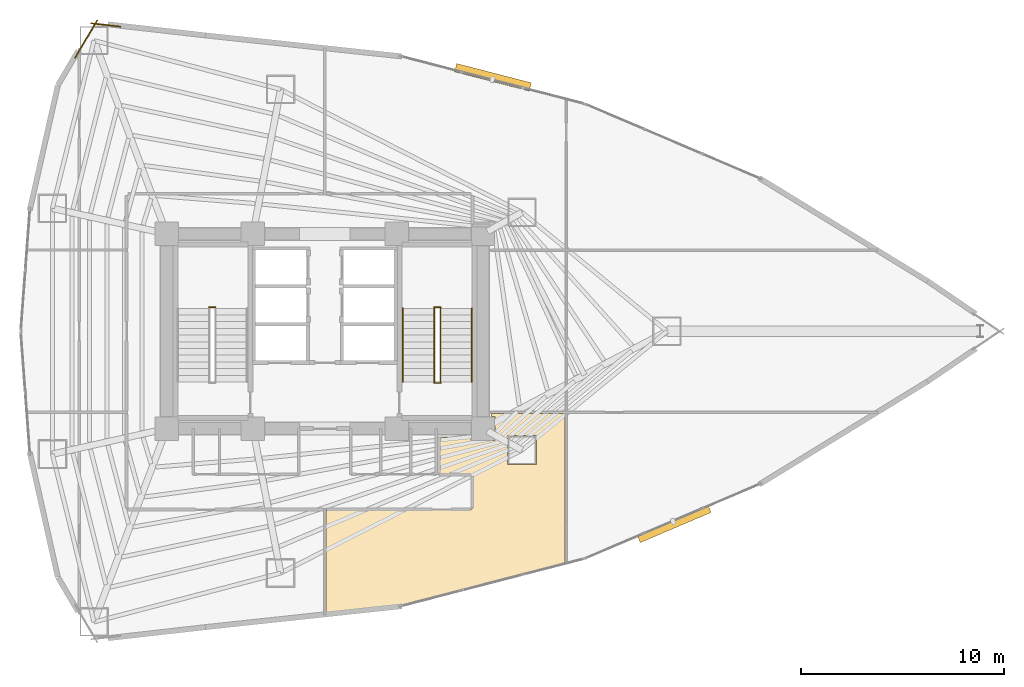
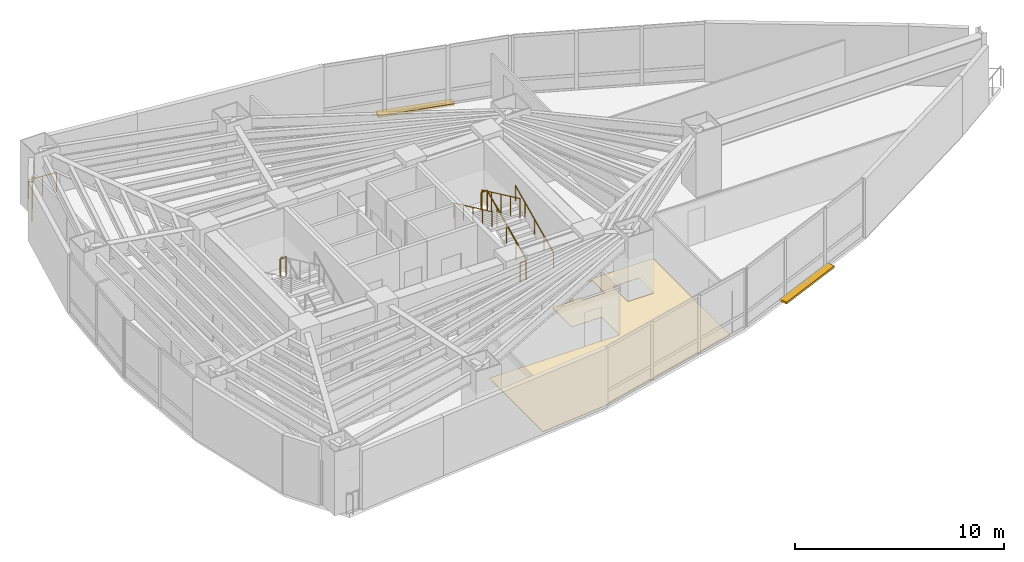
# One storey, part 19 of 20: 9 railings, 2 shading devices, 1 covering.
"""IFC4 building model written with IfcOpenShell, lengths in metres."""

from ifc_helpers import new_model, si_unit, direction, frame, origin, origin_2d, place, context, subcontext, project, spatial, polyline, rectangle, circle, outline, extrude, material, layer, layer_set, type_object, element, save


model = new_model("IFC4")

# Units and contexts
model_context = context("Model", 3, precision=1e-05, world=origin(), true_north=direction((0.0, 1.0)))
body_context = subcontext(model_context, "Body", "Model", "MODEL_VIEW")
ifc_project = project(units=[si_unit("LENGTHUNIT", "METRE"), si_unit("AREAUNIT", "SQUARE_METRE"), si_unit("VOLUMEUNIT", "CUBIC_METRE"), si_unit("PLANEANGLEUNIT", "RADIAN"), si_unit("MASSUNIT", "GRAM", prefix="KILO")], contexts=[model_context])

# Site, building, storey
site_placement = place(None, origin())
site = spatial("IfcSite", under=ifc_project, at=site_placement, CompositionType="ELEMENT")
building_placement = place(site_placement, origin())
building = spatial("IfcBuilding", under=site, at=building_placement, Name="Menara Vayukalpa", CompositionType="ELEMENT")
storey_placement = place(building_placement, frame((0.0, 0.0, 64.800048828125)))
storey = spatial("IfcBuildingStorey", under=building, at=storey_placement, Name="L15", CompositionType="ELEMENT", Elevation=64.800048828125)

# Covering
ifc_material_1 = material(Name="Porcelain Stoneware Floor Tile", Category="masonry")
ifc_layer_1 = layer(ifc_material_1, 0.02001953125)
ifc_layer_set_1 = layer_set([ifc_layer_1], Name="Porcelain Stoneware Floor Tile")
covering_type = type_object("IfcCoveringType", Name="COV-FLR1", PredefinedType="FLOORING", material=ifc_layer_set_1)
covering_placement = place(storey_placement, origin())
element("IfcCovering", 1, at=covering_placement, inside=storey, type_object=covering_type, Name="L15 Technical Reference Library Porcelain Flooring", PredefinedType="FLOORING", context=body_context, shape_type="SweptSolid", body=[
    extrude(outline(polyline([(25.671142578125, 8.054931640625), (25.670166015625, 8.054931640625), (25.669189453125, 8.054931640625), (25.668212890625, 8.05517578125), (25.667236328125, 8.055419921875), (25.666259765625, 8.0556640625), (25.665283203125, 8.05615234375), (25.66455078125, 8.056640625), (25.663818359375, 8.05712890625), (25.6630859375, 8.057861328125), (25.662353515625, 8.05859375), (25.66162109375, 8.059326171875), (25.6611328125, 8.060302734375), (25.660888671875, 8.06103515625), (25.660400390625, 8.06201171875), (25.66015625, 8.06298828125), (25.659912109375, 8.06396484375), (25.659912109375, 8.06494140625), (25.659912109375, 13.2099609375), (25.659912109375, 13.2109375), (25.66015625, 13.2119140625), (25.660400390625, 13.212890625), (25.660888671875, 13.2138671875), (25.6611328125, 13.214599609375), (25.66162109375, 13.215576171875), (25.662353515625, 13.21630859375), (25.662841796875, 13.217041015625), (25.663818359375, 13.2177734375), (25.664306640625, 13.21826171875), (25.665283203125, 13.21875), (25.666259765625, 13.21923828125), (25.6669921875, 13.219482421875), (25.66796875, 13.2197265625), (25.6689453125, 13.219970703125), (25.669921875, 13.219970703125), (32.7998046875, 13.219970703125), (32.806884765625, 13.220458984375), (32.813720703125, 13.22119140625), (32.8203125, 13.222900390625), (32.826904296875, 13.225341796875), (32.8330078125, 13.228271484375), (32.8388671875, 13.231689453125), (32.844482421875, 13.236083984375), (32.849609375, 13.240478515625), (32.85400390625, 13.24560546875), (32.858154296875, 13.251220703125), (32.86181640625, 13.257080078125), (32.86474609375, 13.26318359375), (32.866943359375, 13.269775390625), (32.86865234375, 13.2763671875), (32.86962890625, 13.283203125), (32.8701171875, 13.290283203125), (32.8701171875, 14.849609375), (32.86962890625, 14.856689453125), (32.86865234375, 14.86376953125), (32.866943359375, 14.870361328125), (32.86474609375, 14.876708984375), (32.86181640625, 14.883056640625), (32.858154296875, 14.888916015625), (32.85400390625, 14.89453125), (32.849609375, 14.8994140625), (32.844482421875, 14.904052734375), (32.8388671875, 14.908203125), (32.8330078125, 14.911865234375), (32.826904296875, 14.914794921875), (32.8203125, 14.9169921875), (32.813720703125, 14.918701171875), (32.806884765625, 14.919677734375), (32.7998046875, 14.919921875), (31.219970703125, 14.919921875), (31.218994140625, 14.919921875), (31.218017578125, 14.920166015625), (31.217041015625, 14.92041015625), (31.21630859375, 14.9208984375), (31.21533203125, 14.921142578125), (31.21435546875, 14.921630859375), (31.213623046875, 14.92236328125), (31.212890625, 14.9228515625), (31.21240234375, 14.923583984375), (31.211669921875, 14.92431640625), (31.211181640625, 14.92529296875), (31.210693359375, 14.92626953125), (31.21044921875, 14.927001953125), (31.210205078125, 14.927978515625), (31.2099609375, 14.928955078125), (31.2099609375, 14.929931640625), (31.2099609375, 16.780029296875), (31.2099609375, 16.781005859375), (31.210205078125, 16.781982421875), (31.21044921875, 16.782958984375), (31.210693359375, 16.78369140625), (31.211181640625, 16.78466796875), (31.211669921875, 16.78564453125), (31.21240234375, 16.786376953125), (31.212890625, 16.787109375), (31.213623046875, 16.78759765625), (31.21435546875, 16.788330078125), (31.21533203125, 16.788818359375), (31.21630859375, 16.789306640625), (31.217041015625, 16.78955078125), (31.218017578125, 16.789794921875), (31.218994140625, 16.7900390625), (31.219970703125, 16.7900390625), (32.389892578125, 16.7900390625), (32.389892578125, 16.85009765625), (32.81005859375, 16.85009765625), (32.81005859375, 16.610107421875), (33.989990234375, 16.610107421875), (33.989990234375, 17.7900390625), (33.81005859375, 17.7900390625), (33.81005859375, 17.929931640625), (33.81005859375, 17.930908203125), (33.810302734375, 17.931884765625), (33.810302734375, 17.932861328125), (33.810791015625, 17.933837890625), (33.811279296875, 17.934814453125), (33.811767578125, 17.935546875), (33.812255859375, 17.936279296875), (33.81298828125, 17.93701171875), (33.813720703125, 17.937744140625), (33.814453125, 17.938232421875), (33.815185546875, 17.938720703125), (33.816162109375, 17.939208984375), (33.817138671875, 17.939697265625), (33.818115234375, 17.939697265625), (33.819091796875, 17.93994140625), (33.820068359375, 17.93994140625), (37.429931640625, 17.93994140625), (37.430908203125, 17.93994140625), (37.431884765625, 17.939697265625), (37.432861328125, 17.939697265625), (37.433837890625, 17.939208984375), (37.434814453125, 17.938720703125), (37.435546875, 17.938232421875), (37.436279296875, 17.937744140625), (37.43701171875, 17.93701171875), (37.437744140625, 17.936279296875), (37.438232421875, 17.935546875), (37.438720703125, 17.934814453125), (37.439208984375, 17.933837890625), (37.439697265625, 17.932861328125), (37.439697265625, 17.931884765625), (37.43994140625, 17.930908203125), (37.43994140625, 17.929931640625), (37.43994140625, 10.55859375), (37.43994140625, 10.5576171875), (37.439697265625, 10.556640625), (37.439453125, 10.5556640625), (37.439208984375, 10.5546875), (37.438720703125, 10.5537109375), (37.438232421875, 10.552978515625), (37.4375, 10.552001953125), (37.43701171875, 10.551513671875), (37.43603515625, 10.55078125), (37.435302734375, 10.550048828125), (37.434326171875, 10.549560546875), (37.43359375, 10.54931640625), (37.4326171875, 10.548828125), (29.287109375, 8.442138671875), (29.28564453125, 8.44189453125), (25.671142578125, 8.054931640625)]), holes=[polyline([(36.032958984375, 16.851806640625), (34.60302734375, 16.851806640625), (34.60302734375, 15.421875), (36.032958984375, 15.421875), (36.032958984375, 16.851806640625)])]), origin(), (0.0, 0.0, 1.0), 0.02001953125),
])

# Railings
ifc_material_2 = material(Name="Laminated Glass and Stainless Steel 316 Guardrail", Category="steel")
railing_type_1 = type_object("IfcRailingType", Name="RLG-EXT115", PredefinedType="GUARDRAIL", material=ifc_material_2)
railing_1_placement = place(storey_placement, frame((15.52294921875, 37.017822265625, 0.0)))
element("IfcRailing", 2, at=railing_1_placement, inside=storey, type_object=railing_type_1, Name="L15 Column Corner Spandrel Guardrail 07-1", PredefinedType="GUARDRAIL", context=body_context, shape_type="SweptSolid", body=[
    extrude(circle(Radius=0.02392578125, at=origin_2d()), frame((0.0, 0.0, 1.1259765625), z_axis=(-0.993641249981, 0.112592479038, 0.0), x_axis=(-0.112592479038, -0.993641249981, 0.0)), (0.0, 0.0, 1.0), 1.45068359375),
    extrude(circle(Radius=0.02099609375, at=origin_2d()), origin(), (0.0, 0.0, 1.0), 1.101806640625),
    extrude(circle(Radius=0.02099609375, at=origin_2d()), frame((-0.720703125, 0.08154296875, 0.0)), (0.0, 0.0, 1.0), 1.101806640625),
    extrude(circle(Radius=0.02099609375, at=origin_2d()), frame((-1.44140625, 0.163330078125, 0.0)), (0.0, 0.0, 1.0), 1.101806640625),
])
railing_2_placement = place(storey_placement, frame((14.370361328125, 37.325439453125, 0.0)))
element("IfcRailing", 3, at=railing_2_placement, inside=storey, type_object=railing_type_1, Name="L15 Column Corner Spandrel Guardrail 08-1", PredefinedType="GUARDRAIL", context=body_context, shape_type="SweptSolid", body=[
    extrude(circle(Radius=0.02392578125, at=origin_2d()), frame((0.0, 0.0, 1.1259765625), z_axis=(-0.506816821418, -0.862053774151, 0.0), x_axis=(0.862053774151, -0.506816821418, 0.0)), (0.0, 0.0, 1.0), 2.15185546875),
    extrude(circle(Radius=0.02099609375, at=origin_2d()), origin(), (0.0, 0.0, 1.0), 1.101806640625),
    extrude(circle(Radius=0.02099609375, at=origin_2d()), frame((-0.54541015625, -0.927490234375, 0.0)), (0.0, 0.0, 1.0), 1.101806640625),
    extrude(circle(Radius=0.02099609375, at=origin_2d()), frame((-1.090576171875, -1.85498046875, 0.0)), (0.0, 0.0, 1.0), 1.101806640625),
])
ifc_material_3 = material(Name="Powder-Coated Galvanised Steel Guardrail", Category="steel")
railing_type_2 = type_object("IfcRailingType", Name="RLG-STG110", PredefinedType="GUARDRAIL", material=ifc_material_3)
railing_3_placement = place(storey_placement, frame((20.2099609375, 23.179931640625, 1.85986328125)))
element("IfcRailing", 4, at=railing_3_placement, inside=storey, type_object=railing_type_2, Name="L15 ST-1 stair guard 2", PredefinedType="GUARDRAIL", context=body_context, shape_type="SweptSolid", body=[
    extrude(circle(Radius=0.02392578125, at=origin_2d()), frame((0.0, 0.0, 1.09619140625), z_axis=(-1.0, 0.0, 0.0), x_axis=(0.0, -1.0, 0.0)), (0.0, 0.0, 1.0), 0.320068359375),
    extrude(circle(Radius=0.02099609375, at=origin_2d()), origin(), (0.0, 0.0, 1.0), 1.072021484375),
    extrude(circle(Radius=0.02099609375, at=origin_2d()), frame((-0.320068359375, 0.0, 0.0)), (0.0, 0.0, 1.0), 1.072021484375),
])
railing_4_placement = place(storey_placement, frame((31.300048828125, 19.5, 0.155029296875)))
element("IfcRailing", 5, at=railing_4_placement, inside=storey, type_object=railing_type_2, Name="L15 ST-2 stair guard 1", PredefinedType="GUARDRAIL", context=body_context, shape_type="SweptSolid", body=[
    extrude(circle(Radius=0.02392578125, at=origin_2d()), frame((0.0, 0.0, 1.09619140625), z_axis=(0.0, 0.90513990983, 0.425113800803), x_axis=(-1.0, 0.0, 0.0)), (0.0, 0.0, 1.0), 4.01025390625),
    extrude(circle(Radius=0.02099609375, at=origin_2d()), origin(), (0.0, 0.0, 1.0), 1.072021484375),
    extrude(circle(Radius=0.02099609375, at=origin_2d()), frame((0.0, 0.907470703125, 0.42626953125)), (0.0, 0.0, 1.0), 1.072021484375),
    extrude(circle(Radius=0.02099609375, at=origin_2d()), frame((0.0, 1.81494140625, 0.8525390625)), (0.0, 0.0, 1.0), 1.072021484375),
    extrude(circle(Radius=0.02099609375, at=origin_2d()), frame((0.0, 2.722412109375, 1.278564453125)), (0.0, 0.0, 1.0), 1.072021484375),
    extrude(circle(Radius=0.02099609375, at=origin_2d()), frame((0.0, 3.6298828125, 1.704833984375)), (0.0, 0.0, 1.0), 1.072021484375),
])
railing_5_placement = place(storey_placement, frame((31.31005859375, 23.179931640625, 1.85986328125)))
element("IfcRailing", 6, at=railing_5_placement, inside=storey, type_object=railing_type_2, Name="L15 ST-2 stair guard 2", PredefinedType="GUARDRAIL", context=body_context, shape_type="SweptSolid", body=[
    extrude(circle(Radius=0.02392578125, at=origin_2d()), frame((0.0, 0.0, 1.09619140625), z_axis=(-1.0, 0.0, 0.0), x_axis=(0.0, -1.0, 0.0)), (0.0, 0.0, 1.0), 0.320068359375),
    extrude(circle(Radius=0.02099609375, at=origin_2d()), origin(), (0.0, 0.0, 1.0), 1.072021484375),
    extrude(circle(Radius=0.02099609375, at=origin_2d()), frame((-0.320068359375, 0.0, 0.0)), (0.0, 0.0, 1.0), 1.072021484375),
])
railing_6_placement = place(storey_placement, frame((31.0, 23.1298828125, 2.014892578125)))
element("IfcRailing", 7, at=railing_6_placement, inside=storey, type_object=railing_type_2, Name="L15 ST-2 stair guard 3", PredefinedType="GUARDRAIL", context=body_context, shape_type="SweptSolid", body=[
    extrude(circle(Radius=0.02392578125, at=origin_2d()), frame((0.0, 0.0, 1.09619140625), z_axis=(0.0, -0.90511648382, 0.425163675209), x_axis=(1.0, 0.0, 0.0)), (0.0, 0.0, 1.0), 4.010498046875),
    extrude(circle(Radius=0.02099609375, at=origin_2d()), origin(), (0.0, 0.0, 1.0), 1.072021484375),
    extrude(circle(Radius=0.02099609375, at=origin_2d()), frame((0.0, -0.907470703125, 0.42626953125)), (0.0, 0.0, 1.0), 1.072021484375),
    extrude(circle(Radius=0.02099609375, at=origin_2d()), frame((0.0, -1.81494140625, 0.8525390625)), (0.0, 0.0, 1.0), 1.072021484375),
    extrude(circle(Radius=0.02099609375, at=origin_2d()), frame((0.0, -2.722412109375, 1.27880859375)), (0.0, 0.0, 1.0), 1.072021484375),
    extrude(circle(Radius=0.02099609375, at=origin_2d()), frame((0.0, -3.6298828125, 1.705078125)), (0.0, 0.0, 1.0), 1.072021484375),
])
railing_7_placement = place(storey_placement, frame((31.31005859375, 19.449951171875, 0.0)))
element("IfcRailing", 8, at=railing_7_placement, inside=storey, type_object=railing_type_2, Name="L15 ST-2 stair guard 4", PredefinedType="GUARDRAIL", context=body_context, shape_type="SweptSolid", body=[
    extrude(circle(Radius=0.02392578125, at=origin_2d()), frame((0.0, 0.0, 1.09619140625), z_axis=(-1.0, 0.0, 0.0), x_axis=(0.0, -1.0, 0.0)), (0.0, 0.0, 1.0), 0.320068359375),
    extrude(circle(Radius=0.02099609375, at=origin_2d()), origin(), (0.0, 0.0, 1.0), 1.072021484375),
    extrude(circle(Radius=0.02099609375, at=origin_2d()), frame((-0.320068359375, 0.0, 0.0)), (0.0, 0.0, 1.0), 1.072021484375),
])
ifc_material_4 = material(Name="Stainless Steel 316 Tubular Handrail", Category="steel")
railing_type_3 = type_object("IfcRailingType", Name="RLG-STH090", PredefinedType="HANDRAIL", material=ifc_material_4)
railing_8_placement = place(storey_placement, frame((32.85009765625, 19.5, 0.155029296875)))
element("IfcRailing", 9, at=railing_8_placement, inside=storey, type_object=railing_type_3, Name="L15 ST-2 stair handrail 1", PredefinedType="HANDRAIL", context=body_context, shape_type="SweptSolid", body=[
    extrude(circle(Radius=0.02392578125, at=origin_2d()), frame((0.0, 0.0, 0.8759765625), z_axis=(0.0, 0.90513990983, 0.425113800803), x_axis=(-1.0, 0.0, 0.0)), (0.0, 0.0, 1.0), 4.01025390625),
    extrude(circle(Radius=0.02099609375, at=origin_2d()), origin(), (0.0, 0.0, 1.0), 0.851806640625),
    extrude(circle(Radius=0.02099609375, at=origin_2d()), frame((0.0, 0.907470703125, 0.42626953125)), (0.0, 0.0, 1.0), 0.851806640625),
    extrude(circle(Radius=0.02099609375, at=origin_2d()), frame((0.0, 1.81494140625, 0.8525390625)), (0.0, 0.0, 1.0), 0.851806640625),
    extrude(circle(Radius=0.02099609375, at=origin_2d()), frame((0.0, 2.722412109375, 1.278564453125)), (0.0, 0.0, 1.0), 0.851806640625),
    extrude(circle(Radius=0.02099609375, at=origin_2d()), frame((0.0, 3.6298828125, 1.704833984375)), (0.0, 0.0, 1.0), 0.851806640625),
])
railing_9_placement = place(storey_placement, frame((29.449951171875, 23.1298828125, 2.014892578125)))
element("IfcRailing", 10, at=railing_9_placement, inside=storey, type_object=railing_type_3, Name="L15 ST-2 stair handrail 2", PredefinedType="HANDRAIL", context=body_context, shape_type="SweptSolid", body=[
    extrude(circle(Radius=0.02392578125, at=origin_2d()), frame((0.0, 0.0, 0.8759765625), z_axis=(0.0, -0.90511648382, 0.425163675209), x_axis=(1.0, 0.0, 0.0)), (0.0, 0.0, 1.0), 4.010498046875),
    extrude(circle(Radius=0.02099609375, at=origin_2d()), origin(), (0.0, 0.0, 1.0), 0.851806640625),
    extrude(circle(Radius=0.02099609375, at=origin_2d()), frame((0.0, -0.907470703125, 0.42626953125)), (0.0, 0.0, 1.0), 0.851806640625),
    extrude(circle(Radius=0.02099609375, at=origin_2d()), frame((0.0, -1.81494140625, 0.8525390625)), (0.0, 0.0, 1.0), 0.851806640625),
    extrude(circle(Radius=0.02099609375, at=origin_2d()), frame((0.0, -2.722412109375, 1.27880859375)), (0.0, 0.0, 1.0), 0.851806640625),
    extrude(circle(Radius=0.02099609375, at=origin_2d()), frame((0.0, -3.6298828125, 1.705078125)), (0.0, 0.0, 1.0), 0.851806640625),
])

# Shading devices
ifc_material_5 = material(Name="Glazed Terracotta Ceramic Baguette Extrusion", Category="masonry")
ifc_layer_2 = layer(ifc_material_5, 0.1201171875)
ifc_layer_set_2 = layer_set([ifc_layer_2], Name="Glazed Terracotta Ceramic Baguette Extrusion")
shading_device_type = type_object("IfcShadingDeviceType", Name="SHD-SS1", PredefinedType="USERDEFINED", material=ifc_layer_set_2)
for number, where, z_axis, x_axis, name in (
    (11, (33.88916015625, 34.5224609375, -0.10009765625), (0.0, 0.0, 1.0), (-0.968143270275, 0.25039690138, 0.0), "L15 Horizontal Terracotta Sunshade Band 05"),
    (12, (42.813720703125, 12.513916015625, -0.10009765625), (0.0, 0.0, 1.0), (0.919958392769, 0.392016014434, 0.0), "L15 Horizontal Terracotta Sunshade Band 17"),
):
    element("IfcShadingDevice", number, at=place(storey_placement, frame(where, z_axis=z_axis, x_axis=x_axis)), inside=storey, type_object=shading_device_type, Name=name, ObjectType="SUNSHADE", PredefinedType="USERDEFINED", context=body_context, shape_type="SweptSolid", body=[
        extrude(rectangle(XDim=3.800048828125, YDim=0.419921875, at=origin_2d()), origin(), (0.0, 0.0, 1.0), 0.1201171875),
    ])

save(model, "model.ifc")
